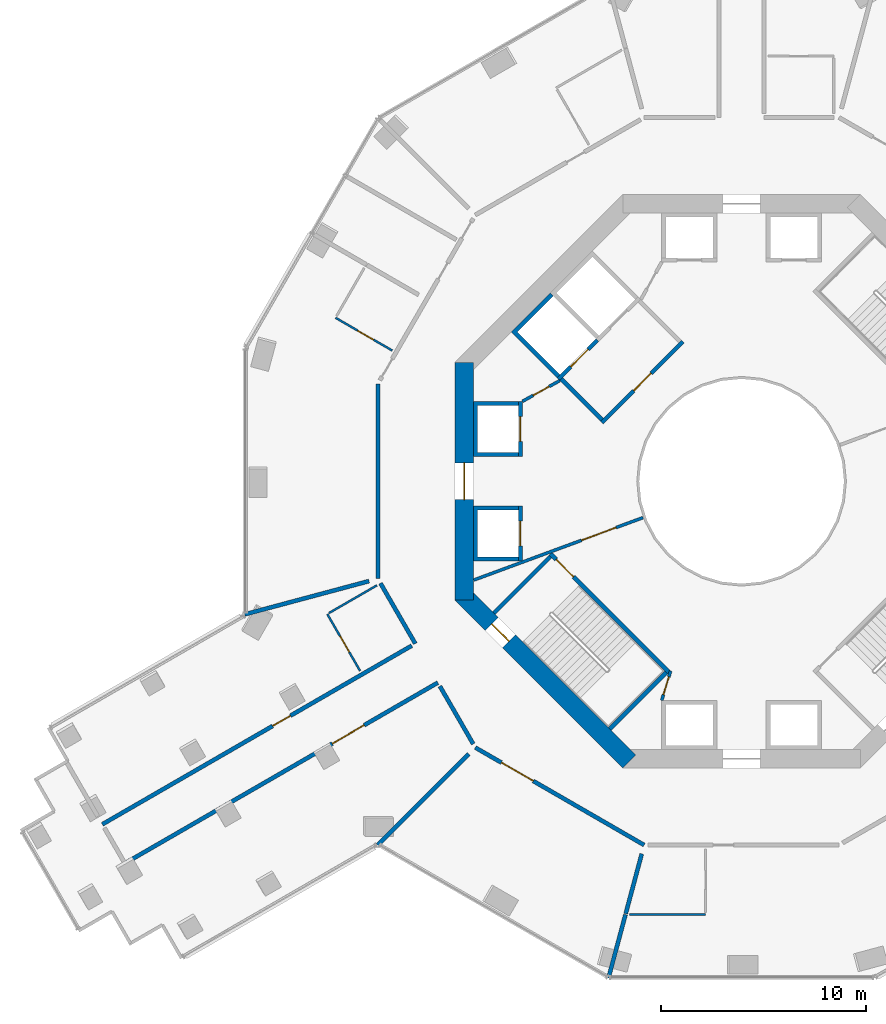
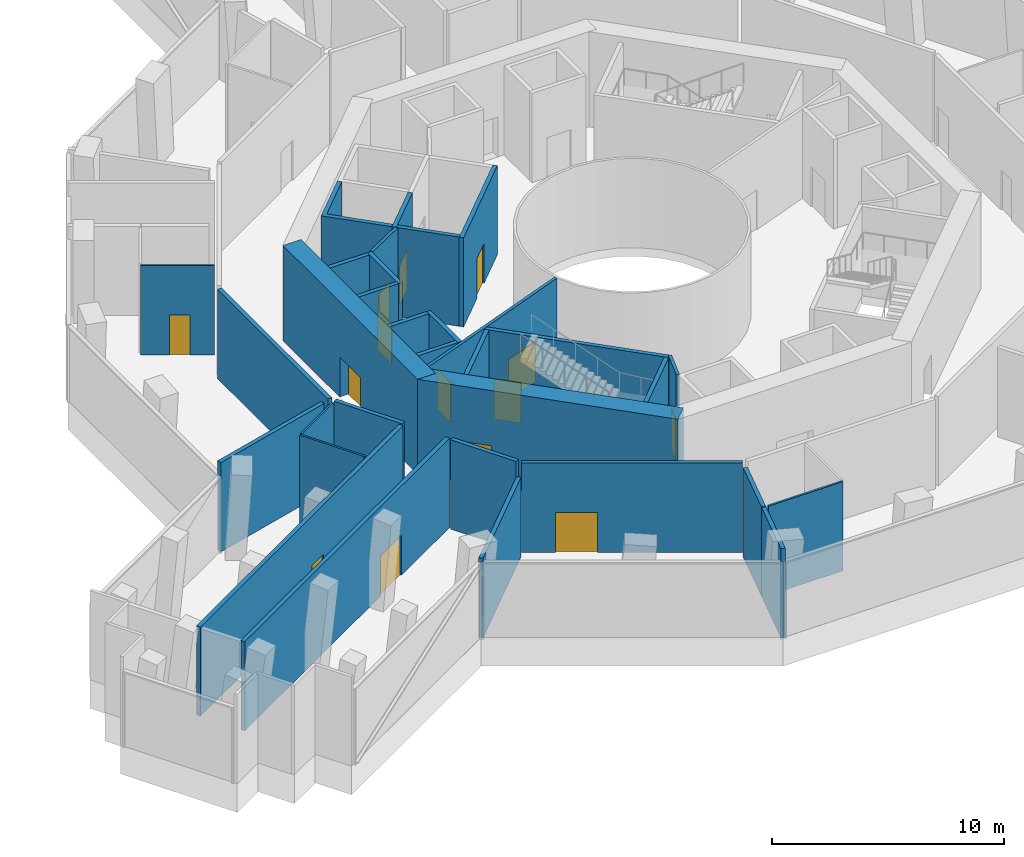
# One storey, part 9 of 16: 30 walls, 15 doors, 15 openings.
"""IFC4 building model written with IfcOpenShell, lengths in metres."""

from ifc_helpers import new_model, si_unit, direction, frame, frame_2d, origin, place, context, subcontext, project, spatial, polyline, rectangle, outline, extrude, material, layer, layer_set, type_object, element, fill, save


model = new_model("IFC4")

# Units and contexts
model_context = context("Model", 3, precision=1e-05, world=origin(), true_north=direction((0.0, 1.0)))
body_context = subcontext(model_context, "Body", "Model", "MODEL_VIEW")
ifc_project = project(units=[si_unit("LENGTHUNIT", "METRE"), si_unit("AREAUNIT", "SQUARE_METRE"), si_unit("VOLUMEUNIT", "CUBIC_METRE"), si_unit("PLANEANGLEUNIT", "RADIAN"), si_unit("MASSUNIT", "GRAM", prefix="KILO")], contexts=[model_context])

# Site, building, storey
site_placement = place(None, origin())
site = spatial("IfcSite", under=ifc_project, at=site_placement, CompositionType="ELEMENT")
building_placement = place(site_placement, origin())
building = spatial("IfcBuilding", under=site, at=building_placement, Name="Verdalira Terraces Hotel", CompositionType="ELEMENT")
storey_placement = place(building_placement, frame((0.0, 0.0, 34.0)))
storey = spatial("IfcBuildingStorey", under=building, at=storey_placement, Name="L06", CompositionType="ELEMENT", Elevation=34.0)

# Wall, opening, door
ifc_material_1 = material(Name="Moisture-resistant gypsum board partition")
ifc_layer_1 = layer(ifc_material_1, 0.10009765625)
ifc_layer_set_1 = layer_set([ifc_layer_1], Name="Bathroom partition 100 mm")
wall_type_1 = type_object("IfcWallType", Name="Bathroom partition 100 mm", PredefinedType="PARTITIONING", material=ifc_layer_set_1)
wall_1_placement = place(storey_placement, frame((-20.227295, -6.482178, 0.0), z_axis=(0.0, 0.0, 1.0), x_axis=(0.500028444, -0.866008981, 0.0)))
wall_1 = element("IfcWall", 1, at=wall_1_placement, inside=storey, type_object=wall_type_1, Name="Bathroom partition", PredefinedType="PARTITIONING", context=body_context, shape_type="SweptSolid", body=[
    extrude(rectangle(XDim=3.199951, YDim=0.100098, at=frame_2d((1.600098, 0.0))), origin(), (0.0, 0.0, 1.0), 4.689941),
])
opening_1_placement = place(wall_1_placement, frame((1.25, 0.0, 0.0)))
opening_1 = element("IfcOpeningElement", 2, at=opening_1_placement, cuts=wall_1, Name="Opening L06-112", PredefinedType="OPENING", context=body_context, shape_type="SweptSolid", body=[
    extrude(rectangle(XDim=0.899902, YDim=2.100098, at=frame_2d((0.449951, 1.050049))), frame((0.0, 0.060059, 0.0), z_axis=(0.0, -1.0, 0.0), x_axis=(1.0, 0.0, 0.0)), (0.0, 0.0, 1.0), 0.120117),
])
ifc_material_2 = material(Name="Timber door", Category="wood")
door_type_1 = type_object("IfcDoorType", Name="Bathroom door 900 x 2100", OperationType="NOTDEFINED", PredefinedType="DOOR", material=ifc_material_2)
door_1_placement = place(opening_1_placement, origin())
door_1 = element("IfcDoor", 3, at=door_1_placement, inside=storey, type_object=door_type_1, Name="Bathroom door 0607", OperationType="SINGLE_SWING_LEFT", OverallHeight=2.10009765625, OverallWidth=0.89990234375, PredefinedType="DOOR", context=body_context, shape_type="SweptSolid", body=[
    extrude(rectangle(XDim=0.899902, YDim=2.100098, at=frame_2d((0.449951, 1.050049))), frame((0.0, 0.024902, 0.0), z_axis=(0.0, -1.0, 0.0), x_axis=(1.0, 0.0, 0.0)), (0.0, 0.0, 1.0), 0.050049),
])
fill(opening_1, door_1)

# Wall
wall_2_placement = place(storey_placement, frame((-20.140625, -6.432129, 0.0), z_axis=(0.0, 0.0, 1.0), x_axis=(0.865997349, 0.500048589, 0.0)))
element("IfcWall", 4, at=wall_2_placement, inside=storey, type_object=wall_type_1, Name="Bathroom partition", PredefinedType="PARTITIONING", context=body_context, shape_type="SweptSolid", body=[
    extrude(rectangle(XDim=2.699951, YDim=0.100098, at=frame_2d((1.350098, 0.0))), origin(), (0.0, 0.0, 1.0), 4.689941),
])

# Wall, opening, door
wall_3_placement = place(storey_placement, frame((-19.82373, 7.981201, 0.0), z_axis=(0.0, 0.0, 1.0), x_axis=(0.866008981, -0.500028444, 0.0)))
wall_3 = element("IfcWall", 5, at=wall_3_placement, inside=storey, type_object=wall_type_1, Name="Bathroom partition", PredefinedType="PARTITIONING", context=body_context, shape_type="SweptSolid", body=[
    extrude(rectangle(XDim=3.199951, YDim=0.100098, at=frame_2d((1.600098, 0.0))), origin(), (0.0, 0.0, 1.0), 4.689941),
])
opening_2_placement = place(wall_3_placement, frame((1.25, 0.0, 0.0)))
opening_2 = element("IfcOpeningElement", 6, at=opening_2_placement, cuts=wall_3, Name="Opening L06-110", PredefinedType="OPENING", context=body_context, shape_type="SweptSolid", body=[
    extrude(rectangle(XDim=0.899902, YDim=2.100098, at=frame_2d((0.449951, 1.050049))), frame((0.0, 0.060059, 0.0), z_axis=(0.0, -1.0, 0.0), x_axis=(1.0, 0.0, 0.0)), (0.0, 0.0, 1.0), 0.120117),
])
door_2_placement = place(opening_2_placement, origin())
door_2 = element("IfcDoor", 7, at=door_2_placement, inside=storey, type_object=door_type_1, Name="Bathroom door 0606", OperationType="SINGLE_SWING_LEFT", OverallHeight=2.10009765625, OverallWidth=0.89990234375, PredefinedType="DOOR", context=body_context, shape_type="SweptSolid", body=[
    extrude(rectangle(XDim=0.899902, YDim=2.100098, at=frame_2d((0.449951, 1.050049))), frame((0.0, 0.024902, 0.0), z_axis=(0.0, -1.0, 0.0), x_axis=(1.0, 0.0, 0.0)), (0.0, 0.0, 1.0), 0.050049),
])
fill(opening_2, door_2)

# Walls
wall_4_placement = place(storey_placement, frame((-1.758301, -21.158203, 0.0), z_axis=(0.0, 0.0, 1.0), x_axis=(-1.0, 0.0, 0.0)))
element("IfcWall", 8, at=wall_4_placement, inside=storey, type_object=wall_type_1, Name="Bathroom partition", PredefinedType="PARTITIONING", context=body_context, shape_type="SweptSolid", body=[
    extrude(rectangle(XDim=3.704102, YDim=0.100098, at=frame_2d((1.852051, 0.0))), origin(), (0.0, 0.0, 1.0), 4.689941),
])
ifc_material_3 = material(Name="Concrete C50", Category="concrete")
ifc_layer_2 = layer(ifc_material_3, 0.199951171875)
ifc_layer_set_2 = layer_set([ifc_layer_2], Name="Core RC wall 200 C50")
wall_type_2 = type_object("IfcWallType", Name="Core RC wall 200 C50", PredefinedType="SOLIDWALL", material=ifc_layer_set_2)
wall_5_placement = place(storey_placement, origin())
element("IfcWall", 9, at=wall_5_placement, inside=storey, type_object=wall_type_2, Name="L06 shaft wall W1", PredefinedType="SOLIDWALL", context=body_context, shape_type="SweptSolid", body=[
    extrude(outline(polyline([(-13.100098, 3.899902), (-10.899902, 3.899902), (-10.899902, 3.699951), (-12.899902, 3.699951), (-12.899902, 1.399902), (-10.899902, 1.399902), (-10.899902, 1.199951), (-13.100098, 1.199951), (-13.100098, 3.899902)])), origin(), (0.0, 0.0, 1.0), 4.689941),
])

# Wall, opening, door
wall_6_placement = place(storey_placement, frame((-10.800049, 1.199951, 0.0), z_axis=(0.0, 0.0, 1.0), x_axis=(0.0, 1.0, 0.0)))
wall_6 = element("IfcWall", 10, at=wall_6_placement, inside=storey, type_object=wall_type_2, Name="L06 shaft front wall W1", PredefinedType="SOLIDWALL", context=body_context, shape_type="SweptSolid", body=[
    extrude(rectangle(XDim=2.699951, YDim=0.199951, at=frame_2d((1.350098, 0.0))), origin(), (0.0, 0.0, 1.0), 4.689941),
])
opening_3_placement = place(wall_6_placement, frame((0.75, 0.0, 0.0)))
opening_3 = element("IfcOpeningElement", 11, at=opening_3_placement, cuts=wall_6, Name="Opening LD-L06-805", PredefinedType="OPENING", context=body_context, shape_type="SweptSolid", body=[
    extrude(rectangle(XDim=1.199951, YDim=2.100098, at=frame_2d((0.600098, 1.050049))), frame((0.0, 0.109863, 0.0), z_axis=(0.0, -1.0, 0.0), x_axis=(1.0, 0.0, 0.0)), (0.0, 0.0, 1.0), 0.219971),
])
ifc_material_4 = material(Name="Stainless steel", Category="steel")
door_type_2 = type_object("IfcDoorType", Name="Landing door 1200 x 2100", OperationType="NOTDEFINED", PredefinedType="DOOR", material=ifc_material_4)
door_3_placement = place(opening_3_placement, origin())
door_3 = element("IfcDoor", 12, at=door_3_placement, inside=storey, type_object=door_type_2, Name="Lift landing door LR5 L06", OperationType="DOUBLE_DOOR_SLIDING", OverallHeight=2.10009765625, OverallWidth=1.199951171875, PredefinedType="DOOR", context=body_context, shape_type="SweptSolid", body=[
    extrude(rectangle(XDim=1.199951, YDim=2.100098, at=frame_2d((0.600098, 1.050049))), frame((0.0, 0.024902, 0.0), z_axis=(0.0, -1.0, 0.0), x_axis=(1.0, 0.0, 0.0)), (0.0, 0.0, 1.0), 0.050049),
])
fill(opening_3, door_3)

# Wall
wall_7_placement = place(storey_placement, origin())
element("IfcWall", 13, at=wall_7_placement, inside=storey, type_object=wall_type_2, Name="L06 shaft wall W2", PredefinedType="SOLIDWALL", context=body_context, shape_type="SweptSolid", body=[
    extrude(outline(polyline([(-13.100098, -3.899902), (-13.100098, -1.199951), (-10.899902, -1.199951), (-10.899902, -1.399902), (-12.899902, -1.399902), (-12.899902, -3.699951), (-10.899902, -3.699951), (-10.899902, -3.899902), (-13.100098, -3.899902)])), origin(), (0.0, 0.0, 1.0), 4.689941),
])

# Wall, opening, door
wall_8_placement = place(storey_placement, frame((-10.800049, -1.199951, 0.0), z_axis=(0.0, 0.0, 1.0), x_axis=(0.0, -1.0, 0.0)))
wall_8 = element("IfcWall", 14, at=wall_8_placement, inside=storey, type_object=wall_type_2, Name="L06 shaft front wall W2", PredefinedType="SOLIDWALL", context=body_context, shape_type="SweptSolid", body=[
    extrude(rectangle(XDim=2.699951, YDim=0.199951, at=frame_2d((1.350098, 0.0))), origin(), (0.0, 0.0, 1.0), 4.689941),
])
opening_4_placement = place(wall_8_placement, frame((0.75, 0.0, 0.0)))
opening_4 = element("IfcOpeningElement", 15, at=opening_4_placement, cuts=wall_8, Name="Opening LD-L06-806", PredefinedType="OPENING", context=body_context, shape_type="SweptSolid", body=[
    extrude(rectangle(XDim=1.199951, YDim=2.100098, at=frame_2d((0.600098, 1.050049))), frame((0.0, 0.109863, 0.0), z_axis=(0.0, -1.0, 0.0), x_axis=(1.0, 0.0, 0.0)), (0.0, 0.0, 1.0), 0.219971),
])
door_4_placement = place(opening_4_placement, origin())
door_4 = element("IfcDoor", 16, at=door_4_placement, inside=storey, type_object=door_type_2, Name="Lift landing door LR6 L06", OperationType="DOUBLE_DOOR_SLIDING", OverallHeight=2.10009765625, OverallWidth=1.199951171875, PredefinedType="DOOR", context=body_context, shape_type="SweptSolid", body=[
    extrude(rectangle(XDim=1.199951, YDim=2.100098, at=frame_2d((0.600098, 1.050049))), frame((0.0, 0.024902, 0.0), z_axis=(0.0, -1.0, 0.0), x_axis=(1.0, 0.0, 0.0)), (0.0, 0.0, 1.0), 0.050049),
])
fill(opening_4, door_4)

# Wall
wall_9_placement = place(storey_placement, origin())
element("IfcWall", 17, at=wall_9_placement, inside=storey, type_object=wall_type_2, Name="L06 shaft wall F2", PredefinedType="SOLIDWALL", context=body_context, shape_type="SweptSolid", body=[
    extrude(outline(polyline([(-11.24292, 7.283203), (-9.33374, 9.192383), (-9.192383, 9.051025), (-10.960205, 7.283203), (-8.874268, 5.197266), (-9.015625, 5.055908), (-11.24292, 7.283203)])), origin(), (0.0, 0.0, 1.0), 4.689941),
])

# Wall, opening, door
wall_10_placement = place(storey_placement, frame((-7.035645, 6.894287, 0.0), z_axis=(0.0, 0.0, 1.0), x_axis=(-0.707106781, -0.707106781, 0.0)))
wall_10 = element("IfcWall", 18, at=wall_10_placement, inside=storey, type_object=wall_type_2, Name="L06 shaft front wall F2", PredefinedType="SOLIDWALL", context=body_context, shape_type="SweptSolid", body=[
    extrude(rectangle(XDim=2.699951, YDim=0.199951, at=frame_2d((1.350098, 0.0))), origin(), (0.0, 0.0, 1.0), 4.689941),
])
opening_5_placement = place(wall_10_placement, frame((0.649902, 0.0, 0.0)))
opening_5 = element("IfcOpeningElement", 19, at=opening_5_placement, cuts=wall_10, Name="Opening LD-L06-808", PredefinedType="OPENING", context=body_context, shape_type="SweptSolid", body=[
    extrude(rectangle(XDim=1.199951, YDim=2.100098, at=frame_2d((0.600098, 1.050049))), frame((0.0, 0.109863, 0.0), z_axis=(0.0, -1.0, 0.0), x_axis=(1.0, 0.0, 0.0)), (0.0, 0.0, 1.0), 0.219971),
])
door_5_placement = place(opening_5_placement, origin())
door_5 = element("IfcDoor", 20, at=door_5_placement, inside=storey, type_object=door_type_2, Name="Lift landing door LF12 L06", OperationType="DOUBLE_DOOR_SLIDING", OverallHeight=2.10009765625, OverallWidth=1.199951171875, PredefinedType="DOOR", context=body_context, shape_type="SweptSolid", body=[
    extrude(rectangle(XDim=1.199951, YDim=2.100098, at=frame_2d((0.600098, 1.050049))), frame((0.0, 0.024902, 0.0), z_axis=(0.0, -1.0, 0.0), x_axis=(1.0, 0.0, 0.0)), (0.0, 0.0, 1.0), 0.050049),
])
fill(opening_5, door_5)

wall_11_placement = place(storey_placement, frame((-3.5354, -9.33374, 0.0), z_axis=(0.0, 0.0, 1.0), x_axis=(-0.707106781, 0.707106781, 0.0)))
wall_11 = element("IfcWall", 21, at=wall_11_placement, inside=storey, type_object=wall_type_2, Name="L06 stair ST2 front wall", PredefinedType="SOLIDWALL", context=body_context, shape_type="SweptSolid", body=[
    extrude(rectangle(XDim=8.200195, YDim=0.199951, at=frame_2d((4.100098, 0.0))), origin(), (0.0, 0.0, 1.0), 4.689941),
])
opening_6_placement = place(wall_11_placement, frame((6.600098, 0.0, 0.0)))
opening_6 = element("IfcOpeningElement", 22, at=opening_6_placement, cuts=wall_11, Name="Opening L06-810", PredefinedType="OPENING", context=body_context, shape_type="SweptSolid", body=[
    extrude(rectangle(XDim=1.199951, YDim=2.100098, at=frame_2d((0.600098, 1.050049))), frame((0.0, 0.109863, 0.0), z_axis=(0.0, -1.0, 0.0), x_axis=(1.0, 0.0, 0.0)), (0.0, 0.0, 1.0), 0.219971),
])
ifc_material_5 = material(Name="Steel fire door", Category="steel")
door_type_3 = type_object("IfcDoorType", Name="Stair door 1200 x 2100", OperationType="NOTDEFINED", PredefinedType="DOOR", material=ifc_material_5)
door_6_placement = place(opening_6_placement, origin())
door_6 = element("IfcDoor", 23, at=door_6_placement, inside=storey, type_object=door_type_3, Name="Stair door ST2 L06", OperationType="SINGLE_SWING_RIGHT", OverallHeight=2.10009765625, OverallWidth=1.199951171875, PredefinedType="DOOR", context=body_context, shape_type="SweptSolid", body=[
    extrude(rectangle(XDim=1.199951, YDim=2.100098, at=frame_2d((0.600098, 1.050049))), frame((0.0, 0.024902, 0.0), z_axis=(0.0, -1.0, 0.0), x_axis=(1.0, 0.0, 0.0)), (0.0, 0.0, 1.0), 0.050049),
])
fill(opening_6, door_6)

# Walls
for number, where, z_axis, x_axis, name in (
    (24, (-9.33374, -3.677002, 0.0), (0.0, 0.0, 1.0), (-0.707106781, -0.707106781, 0.0), "L06 stair ST2 end wall 1"),
    (25, (-3.677002, -9.33374, 0.0), (0.0, 0.0, 1.0), (-0.707106781, -0.707106781, 0.0), "L06 stair ST2 end wall 2"),
):
    element("IfcWall", number, at=place(storey_placement, frame(where, z_axis=z_axis, x_axis=x_axis)), inside=storey, type_object=wall_type_2, Name=name, PredefinedType="SOLIDWALL", context=body_context, shape_type="SweptSolid", body=[
        extrude(rectangle(XDim=3.900146, YDim=0.199951, at=frame_2d((1.950195, 0.0))), origin(), (0.0, 0.0, 1.0), 4.689941),
    ])

# Wall, opening, door
wall_12_placement = place(storey_placement, frame((-2.86377, 6.823486, 0.0), z_axis=(0.0, 0.0, 1.0), x_axis=(-0.707106781, -0.707106781, 0.0)))
wall_12 = element("IfcWall", 26, at=wall_12_placement, inside=storey, type_object=wall_type_2, Name="L06 fire lobby wall", PredefinedType="SOLIDWALL", context=body_context, shape_type="SweptSolid", body=[
    extrude(rectangle(XDim=5.599854, YDim=0.199951, at=frame_2d((2.799805, 0.0))), origin(), (0.0, 0.0, 1.0), 4.689941),
])
opening_7_placement = place(wall_12_placement, frame((2.199951, 0.0, 0.0)))
opening_7 = element("IfcOpeningElement", 27, at=opening_7_placement, cuts=wall_12, Name="Opening L06-819", PredefinedType="OPENING", context=body_context, shape_type="SweptSolid", body=[
    extrude(rectangle(XDim=1.199951, YDim=2.100098, at=frame_2d((0.600098, 1.050049))), frame((0.0, 0.109863, 0.0), z_axis=(0.0, -1.0, 0.0), x_axis=(1.0, 0.0, 0.0)), (0.0, 0.0, 1.0), 0.219971),
])
ifc_material_6 = material(Name="Steel fire door", Category="steel")
door_type_4 = type_object("IfcDoorType", Name="Lobby door 1200 x 2100", OperationType="NOTDEFINED", PredefinedType="DOOR", material=ifc_material_6)
door_7_placement = place(opening_7_placement, origin())
door_7 = element("IfcDoor", 28, at=door_7_placement, inside=storey, type_object=door_type_4, Name="Fire lobby door L06", OperationType="SINGLE_SWING_LEFT", OverallHeight=2.10009765625, OverallWidth=1.199951171875, PredefinedType="DOOR", context=body_context, shape_type="SweptSolid", body=[
    extrude(rectangle(XDim=1.199951, YDim=2.100098, at=frame_2d((0.600098, 1.050049))), frame((0.0, 0.024902, 0.0), z_axis=(0.0, -1.0, 0.0), x_axis=(1.0, 0.0, 0.0)), (0.0, 0.0, 1.0), 0.050049),
])
fill(opening_7, door_7)

# Wall
wall_13_placement = place(storey_placement, frame((-6.823486, 3.005127, 0.0), z_axis=(0.0, 0.0, 1.0), x_axis=(-0.707106781, 0.707106781, 0.0)))
element("IfcWall", 29, at=wall_13_placement, inside=storey, type_object=wall_type_2, Name="L06 fire lobby wall", PredefinedType="SOLIDWALL", context=body_context, shape_type="SweptSolid", body=[
    extrude(rectangle(XDim=2.800049, YDim=0.199951, at=frame_2d((1.399902, 0.0))), origin(), (0.0, 0.0, 1.0), 4.689941),
])

# Wall, opening, door
ifc_material_7 = material(Name="Gypsum board partition")
ifc_layer_3 = layer(ifc_material_7, 0.14990234375)
ifc_layer_set_3 = layer_set([ifc_layer_3], Name="Core partition 150 mm")
wall_type_3 = type_object("IfcWallType", Name="Core partition 150 mm", PredefinedType="PARTITIONING", material=ifc_layer_set_3)
wall_14_placement = place(storey_placement, frame((-8.874268, 4.914307, 0.0), z_axis=(0.0, 0.0, 1.0), x_axis=(-0.874129705, -0.485692555, 0.0)))
wall_14 = element("IfcWall", 30, at=wall_14_placement, inside=storey, type_object=wall_type_3, Name="Room partition L06", PredefinedType="PARTITIONING", context=body_context, shape_type="SweptSolid", body=[
    extrude(rectangle(XDim=2.088623, YDim=0.149902, at=frame_2d((1.044434, 0.0))), origin(), (0.0, 0.0, 1.0), 4.689941),
])
opening_8_placement = place(wall_14_placement, frame((0.594238, 0.0, 0.0)))
opening_8 = element("IfcOpeningElement", 31, at=opening_8_placement, cuts=wall_14, Name="Opening L06-821", PredefinedType="OPENING", context=body_context, shape_type="SweptSolid", body=[
    extrude(rectangle(XDim=0.899902, YDim=2.100098, at=frame_2d((0.449951, 1.050049))), frame((0.0, 0.084961, 0.0), z_axis=(0.0, -1.0, 0.0), x_axis=(1.0, 0.0, 0.0)), (0.0, 0.0, 1.0), 0.169922),
])
ifc_material_8 = material(Name="Steel fire door", Category="steel")
door_type_5 = type_object("IfcDoorType", Name="Core room door 900 x 2100", OperationType="NOTDEFINED", PredefinedType="DOOR", material=ifc_material_8)
door_8_placement = place(opening_8_placement, origin())
door_8 = element("IfcDoor", 32, at=door_8_placement, inside=storey, type_object=door_type_5, Name="Door L06 room3", OperationType="SINGLE_SWING_LEFT", OverallHeight=2.10009765625, OverallWidth=0.89990234375, PredefinedType="DOOR", context=body_context, shape_type="SweptSolid", body=[
    extrude(rectangle(XDim=0.899902, YDim=2.100098, at=frame_2d((0.449951, 1.050049))), frame((0.0, 0.024902, 0.0), z_axis=(0.0, -1.0, 0.0), x_axis=(1.0, 0.0, 0.0)), (0.0, 0.0, 1.0), 0.050049),
])
fill(opening_8, door_8)

wall_15_placement = place(storey_placement, frame((-3.464844, -9.263184, 0.0), z_axis=(0.0, 0.0, 1.0), x_axis=(-0.289808785, -0.957084567, 0.0)))
wall_15 = element("IfcWall", 33, at=wall_15_placement, inside=storey, type_object=wall_type_3, Name="Room partition L06", PredefinedType="PARTITIONING", context=body_context, shape_type="SweptSolid", body=[
    extrude(rectangle(XDim=1.501221, YDim=0.149902, at=frame_2d((0.750488, 0.0))), origin(), (0.0, 0.0, 1.0), 4.689941),
])
opening_9_placement = place(wall_15_placement, frame((0.300781, 0.0, 0.0)))
opening_9 = element("IfcOpeningElement", 34, at=opening_9_placement, cuts=wall_15, Name="Opening L06-822", PredefinedType="OPENING", context=body_context, shape_type="SweptSolid", body=[
    extrude(rectangle(XDim=0.899902, YDim=2.100098, at=frame_2d((0.449951, 1.050049))), frame((0.0, 0.084961, 0.0), z_axis=(0.0, -1.0, 0.0), x_axis=(1.0, 0.0, 0.0)), (0.0, 0.0, 1.0), 0.169922),
])
door_9_placement = place(opening_9_placement, origin())
door_9 = element("IfcDoor", 35, at=door_9_placement, inside=storey, type_object=door_type_5, Name="Door L06 room5", OperationType="SINGLE_SWING_LEFT", OverallHeight=2.10009765625, OverallWidth=0.89990234375, PredefinedType="DOOR", context=body_context, shape_type="SweptSolid", body=[
    extrude(rectangle(XDim=0.899902, YDim=2.100098, at=frame_2d((0.449951, 1.050049))), frame((0.0, 0.024902, 0.0), z_axis=(0.0, -1.0, 0.0), x_axis=(1.0, 0.0, 0.0)), (0.0, 0.0, 1.0), 0.050049),
])
fill(opening_9, door_9)

wall_16_placement = place(storey_placement, frame((-4.812988, -1.775635, 0.0), z_axis=(0.0, 0.0, 1.0), x_axis=(-0.93819293, -0.346112737, 0.0)))
wall_16 = element("IfcWall", 36, at=wall_16_placement, inside=storey, type_object=wall_type_3, Name="Gallery fire partition L06", PredefinedType="PARTITIONING", context=body_context, shape_type="SweptSolid", body=[
    extrude(rectangle(XDim=8.803223, YDim=0.149902, at=frame_2d((4.401611, 0.0))), origin(), (0.0, 0.0, 1.0), 4.689941),
])
opening_10_placement = place(wall_16_placement, frame((1.399902, 0.0, 0.0)))
opening_10 = element("IfcOpeningElement", 37, at=opening_10_placement, cuts=wall_16, Name="Opening L06-825", PredefinedType="OPENING", context=body_context, shape_type="SweptSolid", body=[
    extrude(rectangle(XDim=1.800049, YDim=2.100098, at=frame_2d((0.899902, 1.050049))), frame((0.0, 0.084961, 0.0), z_axis=(0.0, -1.0, 0.0), x_axis=(1.0, 0.0, 0.0)), (0.0, 0.0, 1.0), 0.169922),
])
ifc_material_9 = material(Name="Steel fire door", Category="steel")
door_type_6 = type_object("IfcDoorType", Name="Gallery fire door pair 1800 x 2100", OperationType="NOTDEFINED", PredefinedType="DOOR", material=ifc_material_9)
door_10_placement = place(opening_10_placement, origin())
door_10 = element("IfcDoor", 38, at=door_10_placement, inside=storey, type_object=door_type_6, Name="Door L06 split4", OperationType="DOUBLE_DOOR_SINGLE_SWING", OverallHeight=2.10009765625, OverallWidth=1.800048828125, PredefinedType="DOOR", context=body_context, shape_type="SweptSolid", body=[
    extrude(rectangle(XDim=1.800049, YDim=2.100098, at=frame_2d((0.899902, 1.050049))), frame((0.0, 0.024902, 0.0), z_axis=(0.0, -1.0, 0.0), x_axis=(1.0, 0.0, 0.0)), (0.0, 0.0, 1.0), 0.050049),
])
fill(opening_10, door_10)

ifc_material_10 = material(Name="Concrete C70", Category="concrete")
ifc_layer_4 = layer(ifc_material_10, 0.89990234375)
ifc_layer_set_4 = layer_set([ifc_layer_4], Name="Core wall 900 C70")
wall_type_4 = type_object("IfcWallType", Name="Core wall 900 C70", PredefinedType="SHEAR", material=ifc_layer_set_4)
wall_17_placement = place(storey_placement, frame((-13.550049, 5.799072, 0.0), z_axis=(0.0, 0.0, 1.0), x_axis=(0.0, -1.0, 0.0)))
wall_17 = element("IfcWall", 39, at=wall_17_placement, inside=storey, type_object=wall_type_4, Name="Core wall CW-L06-5", PredefinedType="SHEAR", context=body_context, shape_type="SweptSolid", body=[
    extrude(rectangle(XDim=11.598145, YDim=0.899902, at=frame_2d((5.799072, 0.0))), origin(), (0.0, 0.0, 1.0), 5.0),
])
opening_11_placement = place(wall_17_placement, frame((4.898926, 0.0, 0.0)))
opening_11 = element("IfcOpeningElement", 40, at=opening_11_placement, cuts=wall_17, Name="Opening L06-814", PredefinedType="OPENING", context=body_context, shape_type="SweptSolid", body=[
    extrude(rectangle(XDim=1.800049, YDim=2.100098, at=frame_2d((0.899902, 1.050049))), frame((0.0, 0.459961, 0.0), z_axis=(0.0, -1.0, 0.0), x_axis=(1.0, 0.0, 0.0)), (0.0, 0.0, 1.0), 0.919922),
])
ifc_material_11 = material(Name="Steel fire door", Category="steel")
door_type_7 = type_object("IfcDoorType", Name="Core entry door pair 1800 x 2100", OperationType="NOTDEFINED", PredefinedType="DOOR", material=ifc_material_11)
door_11_placement = place(opening_11_placement, origin())
door_11 = element("IfcDoor", 41, at=door_11_placement, inside=storey, type_object=door_type_7, Name="Core entry door L06 4", OperationType="DOUBLE_DOOR_SINGLE_SWING", OverallHeight=2.10009765625, OverallWidth=1.800048828125, PredefinedType="DOOR", context=body_context, shape_type="SweptSolid", body=[
    extrude(rectangle(XDim=1.800049, YDim=2.100098, at=frame_2d((0.899902, 1.050049))), frame((0.0, 0.024902, 0.0), z_axis=(0.0, -1.0, 0.0), x_axis=(1.0, 0.0, 0.0)), (0.0, 0.0, 1.0), 0.050049),
])
fill(opening_11, door_11)

wall_18_placement = place(storey_placement, frame((-13.681885, -5.480713, 0.0), z_axis=(0.0, 0.0, 1.0), x_axis=(0.707106781, -0.707106781, 0.0)))
wall_18 = element("IfcWall", 42, at=wall_18_placement, inside=storey, type_object=wall_type_4, Name="Core wall CW-L06-6", PredefinedType="SHEAR", context=body_context, shape_type="SweptSolid", body=[
    extrude(rectangle(XDim=11.598145, YDim=0.899902, at=frame_2d((5.799072, 0.0))), origin(), (0.0, 0.0, 1.0), 5.0),
])
opening_12_placement = place(wall_18_placement, frame((2.099121, 0.0, 0.0)))
opening_12 = element("IfcOpeningElement", 43, at=opening_12_placement, cuts=wall_18, Name="Opening L06-817", PredefinedType="OPENING", context=body_context, shape_type="SweptSolid", body=[
    extrude(rectangle(XDim=1.199951, YDim=2.100098, at=frame_2d((0.600098, 1.050049))), frame((0.0, 0.459961, 0.0), z_axis=(0.0, -1.0, 0.0), x_axis=(1.0, 0.0, 0.0)), (0.0, 0.0, 1.0), 0.919922),
])
door_12_placement = place(opening_12_placement, origin())
door_12 = element("IfcDoor", 44, at=door_12_placement, inside=storey, type_object=door_type_3, Name="Stair exit door ST2 L06", OperationType="SINGLE_SWING_LEFT", OverallHeight=2.10009765625, OverallWidth=1.199951171875, PredefinedType="DOOR", context=body_context, shape_type="SweptSolid", body=[
    extrude(rectangle(XDim=1.199951, YDim=2.100098, at=frame_2d((0.600098, 1.050049))), frame((0.0, 0.024902, 0.0), z_axis=(0.0, -1.0, 0.0), x_axis=(1.0, 0.0, 0.0)), (0.0, 0.0, 1.0), 0.050049),
])
fill(opening_12, door_12)

# Walls
ifc_material_12 = material(Name="Fire-rated gypsum board wall")
ifc_layer_5 = layer(ifc_material_12, 0.199951171875)
ifc_layer_set_5 = layer_set([ifc_layer_5], Name="Demising wall 200 mm")
wall_type_5 = type_object("IfcWallType", Name="Demising wall 200 mm", PredefinedType="SOLIDWALL", material=ifc_layer_set_5)
wall_19_placement = place(storey_placement, frame((-18.19043, -4.874023, 0.0), z_axis=(0.0, 0.0, 1.0), x_axis=(-0.965922029, -0.258833215, 0.0)))
element("IfcWall", 45, at=wall_19_placement, inside=storey, type_object=wall_type_5, Name="Demising wall", PredefinedType="SOLIDWALL", context=body_context, shape_type="SweptSolid", body=[
    extrude(rectangle(XDim=6.281982, YDim=0.199951, at=frame_2d((3.141113, 0.0))), origin(), (0.0, 0.0, 1.0), 4.689941),
])
wall_20_placement = place(storey_placement, frame((-5.668701, -21.15625, 0.0), z_axis=(0.0, 0.0, 1.0), x_axis=(-0.25885008, -0.96591751, 0.0)))
element("IfcWall", 46, at=wall_20_placement, inside=storey, type_object=wall_type_5, Name="Demising wall", PredefinedType="SOLIDWALL", context=body_context, shape_type="SweptSolid", body=[
    extrude(rectangle(XDim=3.211426, YDim=0.199951, at=frame_2d((1.605713, 0.0))), origin(), (0.0, 0.0, 1.0), 4.689941),
])
wall_21_placement = place(storey_placement, frame((-4.874023, -18.19043, 0.0), z_axis=(0.0, 0.0, 1.0), x_axis=(-0.258853085, -0.965916705, 0.0)))
element("IfcWall", 47, at=wall_21_placement, inside=storey, type_object=wall_type_5, Name="Demising wall", PredefinedType="SOLIDWALL", context=body_context, shape_type="SweptSolid", body=[
    extrude(rectangle(XDim=3.024658, YDim=0.199951, at=frame_2d((1.512207, 0.0))), origin(), (0.0, 0.0, 1.0), 4.689941),
])
ifc_material_13 = material(Name="Fire-rated gypsum board wall")
ifc_layer_6 = layer(ifc_material_13, 0.199951171875)
ifc_layer_set_6 = layer_set([ifc_layer_6], Name="Demising wall 200 mm to beam soffit")
wall_type_6 = type_object("IfcWallType", Name="Demising wall 200 mm to beam soffit", PredefinedType="SOLIDWALL", material=ifc_layer_set_6)
wall_22_placement = place(storey_placement, frame((-13.316406, -13.316406, 0.0), z_axis=(0.0, 0.0, 1.0), x_axis=(-0.707106781, -0.707106781, 0.0)))
element("IfcWall", 48, at=wall_22_placement, inside=storey, type_object=wall_type_6, Name="Demising wall", PredefinedType="SOLIDWALL", context=body_context, shape_type="SweptSolid", body=[
    extrude(rectangle(XDim=6.281738, YDim=0.199951, at=frame_2d((3.140869, 0.0))), origin(), (0.0, 0.0, 1.0), 4.189941),
])

# Wall, opening, door
ifc_material_14 = material(Name="Fire-rated gypsum board wall")
ifc_layer_7 = layer(ifc_material_14, 0.199951171875)
ifc_layer_set_7 = layer_set([ifc_layer_7], Name="Guest corridor wall 200 mm")
wall_type_7 = type_object("IfcWallType", Name="Guest corridor wall 200 mm", PredefinedType="SOLIDWALL", material=ifc_layer_set_7)
wall_23_placement = place(storey_placement, frame((-31.207275, -16.747314, 0.0), z_axis=(0.0, 0.0, 1.0), x_axis=(0.866029411, 0.499993059, 0.0)))
wall_23 = element("IfcWall", 49, at=wall_23_placement, inside=storey, type_object=wall_type_7, Name="Guest corridor wall", PredefinedType="SOLIDWALL", context=body_context, shape_type="SweptSolid", body=[
    extrude(rectangle(XDim=17.44165, YDim=0.199951, at=frame_2d((8.720703, 0.0))), origin(), (0.0, 0.0, 1.0), 4.689941),
])
opening_13_placement = place(wall_23_placement, frame((9.600098, 0.0, 0.0)))
opening_13 = element("IfcOpeningElement", 50, at=opening_13_placement, cuts=wall_23, Name="Opening L06-111", PredefinedType="OPENING", context=body_context, shape_type="SweptSolid", body=[
    extrude(rectangle(XDim=1.0, YDim=2.100098, at=frame_2d((0.5, 1.050049))), frame((0.0, 0.109863, 0.0), z_axis=(0.0, -1.0, 0.0), x_axis=(1.0, 0.0, 0.0)), (0.0, 0.0, 1.0), 0.219971),
])
ifc_material_15 = material(Name="Timber fire door", Category="wood")
door_type_8 = type_object("IfcDoorType", Name="Guest entry door 1000 x 2100", OperationType="NOTDEFINED", PredefinedType="DOOR", material=ifc_material_15)
door_13_placement = place(opening_13_placement, origin())
door_13 = element("IfcDoor", 51, at=door_13_placement, inside=storey, type_object=door_type_8, Name="Guest entry door 0607", OperationType="SINGLE_SWING_LEFT", OverallHeight=2.10009765625, OverallWidth=1.0, PredefinedType="DOOR", context=body_context, shape_type="SweptSolid", body=[
    extrude(rectangle(XDim=1.0, YDim=2.100098, at=frame_2d((0.5, 1.050049))), frame((0.0, 0.024902, 0.0), z_axis=(0.0, -1.0, 0.0), x_axis=(1.0, 0.0, 0.0)), (0.0, 0.0, 1.0), 0.050049),
])
fill(opening_13, door_13)

wall_24_placement = place(storey_placement, frame((-14.829102, -9.831787, 0.0), z_axis=(0.0, 0.0, 1.0), x_axis=(-0.86602863, -0.499994411, 0.0)))
wall_24 = element("IfcWall", 52, at=wall_24_placement, inside=storey, type_object=wall_type_7, Name="Guest corridor wall", PredefinedType="SOLIDWALL", context=body_context, shape_type="SweptSolid", body=[
    extrude(rectangle(XDim=17.639893, YDim=0.199951, at=frame_2d((8.819824, 0.0))), origin(), (0.0, 0.0, 1.0), 4.689941),
])
opening_14_placement = place(wall_24_placement, frame((4.149902, 0.0, 0.0)))
opening_14 = element("IfcOpeningElement", 53, at=opening_14_placement, cuts=wall_24, Name="Opening L06-113", PredefinedType="OPENING", context=body_context, shape_type="SweptSolid", body=[
    extrude(rectangle(XDim=1.800049, YDim=2.100098, at=frame_2d((0.899902, 1.050049))), frame((0.0, 0.109863, 0.0), z_axis=(0.0, -1.0, 0.0), x_axis=(1.0, 0.0, 0.0)), (0.0, 0.0, 1.0), 0.219971),
])
ifc_material_16 = material(Name="Timber fire door", Category="wood")
door_type_9 = type_object("IfcDoorType", Name="Public room double door 1800 x 2100", OperationType="NOTDEFINED", PredefinedType="DOOR", material=ifc_material_16)
door_14_placement = place(opening_14_placement, origin())
door_14 = element("IfcDoor", 54, at=door_14_placement, inside=storey, type_object=door_type_9, Name="Public room double door 0608", OperationType="DOUBLE_DOOR_SINGLE_SWING", OverallHeight=2.10009765625, OverallWidth=1.800048828125, PredefinedType="DOOR", context=body_context, shape_type="SweptSolid", body=[
    extrude(rectangle(XDim=1.800049, YDim=2.100098, at=frame_2d((0.899902, 1.050049))), frame((0.0, 0.024902, 0.0), z_axis=(0.0, -1.0, 0.0), x_axis=(1.0, 0.0, 0.0)), (0.0, 0.0, 1.0), 0.050049),
])
fill(opening_14, door_14)

# Walls
wall_25_placement = place(storey_placement, frame((-17.758301, 4.757812, 0.0), z_axis=(0.0, 0.0, 1.0), x_axis=(0.0, -1.0, 0.0)))
element("IfcWall", 55, at=wall_25_placement, inside=storey, type_object=wall_type_7, Name="Guest corridor wall", PredefinedType="SOLIDWALL", context=body_context, shape_type="SweptSolid", body=[
    extrude(rectangle(XDim=9.516113, YDim=0.199951, at=frame_2d((4.758057, 0.0))), origin(), (0.0, 0.0, 1.0), 4.689941),
])
wall_26_placement = place(storey_placement, frame((-17.62915, -4.982178, 0.0), z_axis=(0.0, 0.0, 1.0), x_axis=(0.500008388, -0.866020561, 0.0)))
element("IfcWall", 56, at=wall_26_placement, inside=storey, type_object=wall_type_7, Name="Guest corridor wall", PredefinedType="SOLIDWALL", context=body_context, shape_type="SweptSolid", body=[
    extrude(rectangle(XDim=3.399902, YDim=0.199951, at=frame_2d((1.699951, 0.0))), origin(), (0.0, 0.0, 1.0), 4.689941),
])
wall_27_placement = place(storey_placement, frame((-14.729004, -10.004883, 0.0), z_axis=(0.0, 0.0, 1.0), x_axis=(0.499910548, -0.866077043, 0.0)))
element("IfcWall", 57, at=wall_27_placement, inside=storey, type_object=wall_type_7, Name="Guest corridor wall", PredefinedType="SOLIDWALL", context=body_context, shape_type="SweptSolid", body=[
    extrude(rectangle(XDim=3.258301, YDim=0.199951, at=frame_2d((1.62915, 0.0))), origin(), (0.0, 0.0, 1.0), 4.689941),
])

# Wall, opening, door
wall_28_placement = place(storey_placement, frame((-4.758301, -17.758301, 0.0), z_axis=(0.0, 0.0, 1.0), x_axis=(-0.866027519, 0.499996337, 0.0)))
wall_28 = element("IfcWall", 58, at=wall_28_placement, inside=storey, type_object=wall_type_7, Name="Guest corridor wall", PredefinedType="SOLIDWALL", context=body_context, shape_type="SweptSolid", body=[
    extrude(rectangle(XDim=9.516602, YDim=0.199951, at=frame_2d((4.758301, 0.0))), origin(), (0.0, 0.0, 1.0), 4.689941),
])
opening_15_placement = place(wall_28_placement, frame((6.25, 0.0, 0.0)))
opening_15 = element("IfcOpeningElement", 59, at=opening_15_placement, cuts=wall_28, Name="Opening L06-114", PredefinedType="OPENING", context=body_context, shape_type="SweptSolid", body=[
    extrude(rectangle(XDim=1.800049, YDim=2.100098, at=frame_2d((0.899902, 1.050049))), frame((0.0, 0.109863, 0.0), z_axis=(0.0, -1.0, 0.0), x_axis=(1.0, 0.0, 0.0)), (0.0, 0.0, 1.0), 0.219971),
])
door_15_placement = place(opening_15_placement, origin())
door_15 = element("IfcDoor", 60, at=door_15_placement, inside=storey, type_object=door_type_9, Name="Public room double door 0609", OperationType="DOUBLE_DOOR_SINGLE_SWING", OverallHeight=2.10009765625, OverallWidth=1.800048828125, PredefinedType="DOOR", context=body_context, shape_type="SweptSolid", body=[
    extrude(rectangle(XDim=1.800049, YDim=2.100098, at=frame_2d((0.899902, 1.050049))), frame((0.0, 0.024902, 0.0), z_axis=(0.0, -1.0, 0.0), x_axis=(1.0, 0.0, 0.0)), (0.0, 0.0, 1.0), 0.050049),
])
fill(opening_15, door_15)

save(model, "model.ifc")
